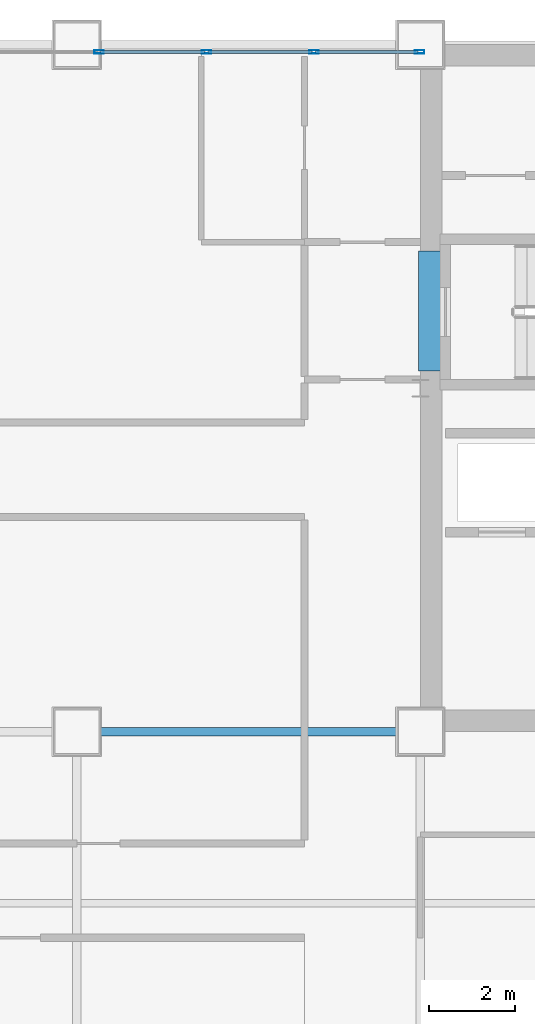
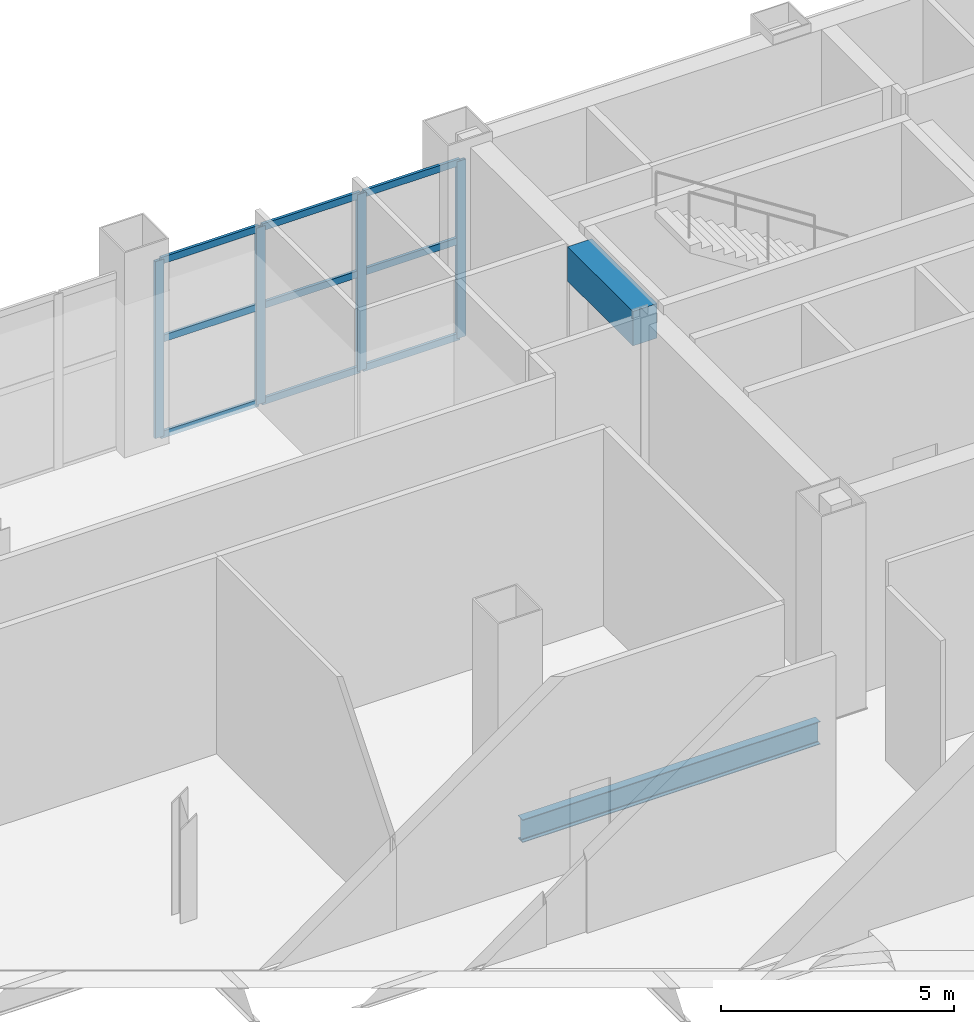
# One storey, part 15 of 22: 13 members, 2 beams, 1 element without a shape of its own.
"""IFC4 building model written with IfcOpenShell, lengths in metres."""

from ifc_helpers import new_model, si_unit, direction, frame, origin, origin_2d, place, context, subcontext, project, spatial, rectangle, hollow_rectangle, i_section, extrude, material, layer, layer_set, material_profile, profile_set, type_object, element, aggregate, save


model = new_model("IFC4")

# Units and contexts
model_context = context("Model", 3, precision=1e-05, world=origin(), true_north=direction((0.0, 1.0)))
body_context = subcontext(model_context, "Body", "Model", "MODEL_VIEW")
ifc_project = project(units=[si_unit("LENGTHUNIT", "METRE"), si_unit("AREAUNIT", "SQUARE_METRE"), si_unit("VOLUMEUNIT", "CUBIC_METRE"), si_unit("PLANEANGLEUNIT", "RADIAN"), si_unit("MASSUNIT", "GRAM", prefix="KILO")], contexts=[model_context])

# Site, building, storey
site_placement = place(None, origin())
site = spatial("IfcSite", under=ifc_project, at=site_placement, CompositionType="ELEMENT")
building_placement = place(site_placement, origin())
building = spatial("IfcBuilding", under=site, at=building_placement, Name="Qianrong Seaharbour Tower", CompositionType="ELEMENT")
storey_placement = place(building_placement, frame((0.0, 0.0, 113.60009765625)))
storey = spatial("IfcBuildingStorey", under=building, at=storey_placement, Name="L27", CompositionType="ELEMENT", Elevation=113.60009765625)

# Beams
ifc_material_1 = material(Name="Structural steel SN490B", Category="steel")
ifc_material_profile_1 = material_profile(ifc_material_1, i_section(OverallWidth=0.199951171875, OverallDepth=0.60009765625, WebThickness=0.010986328125, FlangeThickness=0.01708984375, FilletRadius=0.02197265625, at=origin_2d()), Name="H600x200x11x17")
ifc_profile_set_1 = profile_set([ifc_material_profile_1], Name="Structural steel SN490B")
beam_type_1 = type_object("IfcBeamType", Name="BM-G-600", PredefinedType="BEAM", material=ifc_profile_set_1)
beam_1_placement = place(storey_placement, frame((32.820068359375, 36.0, -0.60009765625), z_axis=(1.0, 0.0, 0.0), x_axis=(0.0, 1.0, 0.0)))
element("IfcBeam", 1, at=beam_1_placement, inside=storey, type_object=beam_type_1, Name="L27 Primary Girder GF G5-G6", PredefinedType="BEAM", context=body_context, shape_type="SweptSolid", body=[
    extrude(i_section(OverallWidth=0.199951171875, OverallDepth=0.60009765625, WebThickness=0.010986328125, FlangeThickness=0.01708984375, FilletRadius=0.02197265625, at=origin_2d()), origin(), (0.0, 0.0, 1.0), 7.35986328125),
])
ifc_material_2 = material(Name="Concrete C70/85", Category="concrete")
ifc_material_profile_2 = material_profile(ifc_material_2, rectangle(XDim=0.60009765625, YDim=0.89990234375, at=origin_2d()), Name="RC600x900")
ifc_profile_set_2 = profile_set([ifc_material_profile_2], Name="Concrete C70/85")
beam_type_2 = type_object("IfcBeamType", Name="BM-LINTEL-900", PredefinedType="LINTEL", material=ifc_profile_set_2)
beam_2_placement = place(storey_placement, frame((40.75, 44.39990234375, 4.71484375), z_axis=(0.0, 1.0, 0.0), x_axis=(-1.0, 0.0, 0.0)))
element("IfcBeam", 2, at=beam_2_placement, inside=storey, type_object=beam_type_2, Name="L27 Core Coupling Lintel Beam West", PredefinedType="LINTEL", context=body_context, shape_type="SweptSolid", body=[
    extrude(rectangle(XDim=0.60009765625, YDim=0.89990234375, at=origin_2d()), origin(), (0.0, 0.0, 1.0), 2.800048828125),
])

# Curtain wall, members
ifc_material_3 = material(Name="Anodised aluminium 6063-T6 and laminated low-e glass", Category="aluminium")
ifc_layer = layer(ifc_material_3, 0.2099609375)
ifc_layer_set = layer_set([ifc_layer], Name="Anodised aluminium 6063-T6 and laminated low-e glass")
curtain_wall_type = type_object("IfcCurtainWallType", Name="CW-SYS-2", PredefinedType="NOTDEFINED", material=ifc_layer_set)
curtain_wall_placement = place(storey_placement, origin())
curtain_wall = element("IfcCurtainWall", 3, at=curtain_wall_placement, inside=storey, type_object=curtain_wall_type, Name="L27 Sky-Lobby Feature Curtain Wall NORTH_WING", PredefinedType="NOTDEFINED")
ifc_material_4 = material(Name="Extruded aluminium 6063-T6", Category="aluminium")
ifc_material_profile_3 = material_profile(ifc_material_4, hollow_rectangle(XDim=0.080078125, YDim=0.219970703125, WallThickness=0.0048828125, at=origin_2d()), Name="ALU-MUL-220x80x5")
ifc_profile_set_3 = profile_set([ifc_material_profile_3], Name="Extruded aluminium 6063-T6")
member_type_1 = type_object("IfcMemberType", Name="CW-MUL-220", PredefinedType="MULLION", material=ifc_profile_set_3)
member_1_placement = place(storey_placement, frame((33.0146484375, 51.830078125, 0.0), z_axis=(0.0, 0.0, 1.0), x_axis=(0.0, 1.0, 0.0)))
member_1 = element("IfcMember", 4, at=member_1_placement, type_object=member_type_1, Name="CW-2 mullion 9", PredefinedType="MULLION", context=body_context, shape_type="SweptSolid", body=[
    extrude(hollow_rectangle(XDim=0.080078125, YDim=0.219970703125, WallThickness=0.0048828125, at=origin_2d()), origin(), (0.0, 0.0, 1.0), 4.625),
])
member_2_placement = place(storey_placement, frame((35.516357421875, 51.830078125, 0.0), z_axis=(0.0, 0.0, 1.0), x_axis=(0.0, 1.0, 0.0)))
member_2 = element("IfcMember", 5, at=member_2_placement, type_object=member_type_1, Name="CW-2 mullion 10", PredefinedType="MULLION", context=body_context, shape_type="SweptSolid", body=[
    extrude(hollow_rectangle(XDim=0.080078125, YDim=0.219970703125, WallThickness=0.0048828125, at=origin_2d()), origin(), (0.0, 0.0, 1.0), 4.625),
])
member_3_placement = place(storey_placement, frame((38.01806640625, 51.830078125, 0.0), z_axis=(0.0, 0.0, 1.0), x_axis=(0.0, 1.0, 0.0)))
member_3 = element("IfcMember", 6, at=member_3_placement, type_object=member_type_1, Name="CW-2 mullion 11", PredefinedType="MULLION", context=body_context, shape_type="SweptSolid", body=[
    extrude(hollow_rectangle(XDim=0.080078125, YDim=0.219970703125, WallThickness=0.0048828125, at=origin_2d()), origin(), (0.0, 0.0, 1.0), 4.625),
])
member_4_placement = place(storey_placement, frame((40.47998046875, 51.830078125, 0.0), z_axis=(0.0, 0.0, 1.0), x_axis=(0.0, 1.0, 0.0)))
member_4 = element("IfcMember", 7, at=member_4_placement, type_object=member_type_1, Name="CW-2 mullion 12", PredefinedType="MULLION", context=body_context, shape_type="SweptSolid", body=[
    extrude(hollow_rectangle(XDim=0.080078125, YDim=0.219970703125, WallThickness=0.0048828125, at=origin_2d()), origin(), (0.0, 0.0, 1.0), 4.625),
])
ifc_material_profile_4 = material_profile(ifc_material_4, hollow_rectangle(XDim=0.070068359375, YDim=0.179931640625, WallThickness=0.00390625, at=origin_2d()), Name="ALU-TRN-180x70x4")
ifc_profile_set_4 = profile_set([ifc_material_profile_4], Name="Extruded aluminium 6063-T6")
member_type_2 = type_object("IfcMemberType", Name="CW-TRN-180", PredefinedType="USERDEFINED", material=ifc_profile_set_4)
member_5_placement = place(storey_placement, frame((33.054443359375, 51.830078125, 0.034912109375), z_axis=(1.0, 0.0, 0.0), x_axis=(0.0, 1.0, 0.0)))
member_5 = element("IfcMember", 8, at=member_5_placement, type_object=member_type_2, Name="CW-2 transom 9.1", ObjectType="TRANSOM", PredefinedType="USERDEFINED", context=body_context, shape_type="SweptSolid", body=[
    extrude(hollow_rectangle(XDim=0.070068359375, YDim=0.179931640625, WallThickness=0.00390625, at=origin_2d()), origin(), (0.0, 0.0, 1.0), 2.421875),
])
member_6_placement = place(storey_placement, frame((33.054443359375, 51.830078125, 2.543701171875), z_axis=(1.0, 0.0, 0.0), x_axis=(0.0, 1.0, 0.0)))
member_6 = element("IfcMember", 9, at=member_6_placement, type_object=member_type_2, Name="CW-2 transom 9.2", ObjectType="TRANSOM", PredefinedType="USERDEFINED", context=body_context, shape_type="SweptSolid", body=[
    extrude(hollow_rectangle(XDim=0.070068359375, YDim=0.179931640625, WallThickness=0.00390625, at=origin_2d()), origin(), (0.0, 0.0, 1.0), 2.421875),
])
member_7_placement = place(storey_placement, frame((33.054443359375, 51.830078125, 4.58984375), z_axis=(1.0, 0.0, 0.0), x_axis=(0.0, 1.0, 0.0)))
member_7 = element("IfcMember", 10, at=member_7_placement, type_object=member_type_2, Name="CW-2 transom 9.3", ObjectType="TRANSOM", PredefinedType="USERDEFINED", context=body_context, shape_type="SweptSolid", body=[
    extrude(hollow_rectangle(XDim=0.070068359375, YDim=0.179931640625, WallThickness=0.00390625, at=origin_2d()), origin(), (0.0, 0.0, 1.0), 2.421875),
])
member_8_placement = place(storey_placement, frame((35.556396484375, 51.830078125, 0.034912109375), z_axis=(1.0, 0.0, 0.0), x_axis=(0.0, 1.0, 0.0)))
member_8 = element("IfcMember", 11, at=member_8_placement, type_object=member_type_2, Name="CW-2 transom 10.1", ObjectType="TRANSOM", PredefinedType="USERDEFINED", context=body_context, shape_type="SweptSolid", body=[
    extrude(hollow_rectangle(XDim=0.070068359375, YDim=0.179931640625, WallThickness=0.00390625, at=origin_2d()), origin(), (0.0, 0.0, 1.0), 2.421875),
])
member_9_placement = place(storey_placement, frame((35.556396484375, 51.830078125, 2.543701171875), z_axis=(1.0, 0.0, 0.0), x_axis=(0.0, 1.0, 0.0)))
member_9 = element("IfcMember", 12, at=member_9_placement, type_object=member_type_2, Name="CW-2 transom 10.2", ObjectType="TRANSOM", PredefinedType="USERDEFINED", context=body_context, shape_type="SweptSolid", body=[
    extrude(hollow_rectangle(XDim=0.070068359375, YDim=0.179931640625, WallThickness=0.00390625, at=origin_2d()), origin(), (0.0, 0.0, 1.0), 2.421875),
])
member_10_placement = place(storey_placement, frame((35.556396484375, 51.830078125, 4.58984375), z_axis=(1.0, 0.0, 0.0), x_axis=(0.0, 1.0, 0.0)))
member_10 = element("IfcMember", 13, at=member_10_placement, type_object=member_type_2, Name="CW-2 transom 10.3", ObjectType="TRANSOM", PredefinedType="USERDEFINED", context=body_context, shape_type="SweptSolid", body=[
    extrude(hollow_rectangle(XDim=0.070068359375, YDim=0.179931640625, WallThickness=0.00390625, at=origin_2d()), origin(), (0.0, 0.0, 1.0), 2.421875),
])
member_11_placement = place(storey_placement, frame((38.05810546875, 51.830078125, 0.034912109375), z_axis=(1.0, 0.0, 0.0), x_axis=(0.0, 1.0, 0.0)))
member_11 = element("IfcMember", 14, at=member_11_placement, type_object=member_type_2, Name="CW-2 transom 11.1", ObjectType="TRANSOM", PredefinedType="USERDEFINED", context=body_context, shape_type="SweptSolid", body=[
    extrude(hollow_rectangle(XDim=0.070068359375, YDim=0.179931640625, WallThickness=0.00390625, at=origin_2d()), origin(), (0.0, 0.0, 1.0), 2.3818359375),
])
member_12_placement = place(storey_placement, frame((38.05810546875, 51.830078125, 2.543701171875), z_axis=(1.0, 0.0, 0.0), x_axis=(0.0, 1.0, 0.0)))
member_12 = element("IfcMember", 15, at=member_12_placement, type_object=member_type_2, Name="CW-2 transom 11.2", ObjectType="TRANSOM", PredefinedType="USERDEFINED", context=body_context, shape_type="SweptSolid", body=[
    extrude(hollow_rectangle(XDim=0.070068359375, YDim=0.179931640625, WallThickness=0.00390625, at=origin_2d()), origin(), (0.0, 0.0, 1.0), 2.3818359375),
])
member_13_placement = place(storey_placement, frame((38.05810546875, 51.830078125, 4.58984375), z_axis=(1.0, 0.0, 0.0), x_axis=(0.0, 1.0, 0.0)))
member_13 = element("IfcMember", 16, at=member_13_placement, type_object=member_type_2, Name="CW-2 transom 11.3", ObjectType="TRANSOM", PredefinedType="USERDEFINED", context=body_context, shape_type="SweptSolid", body=[
    extrude(hollow_rectangle(XDim=0.070068359375, YDim=0.179931640625, WallThickness=0.00390625, at=origin_2d()), origin(), (0.0, 0.0, 1.0), 2.3818359375),
])
aggregate(curtain_wall, [member_1, member_2, member_3, member_4, member_5, member_6, member_7, member_8, member_9, member_10, member_11, member_12, member_13])

save(model, "model.ifc")
